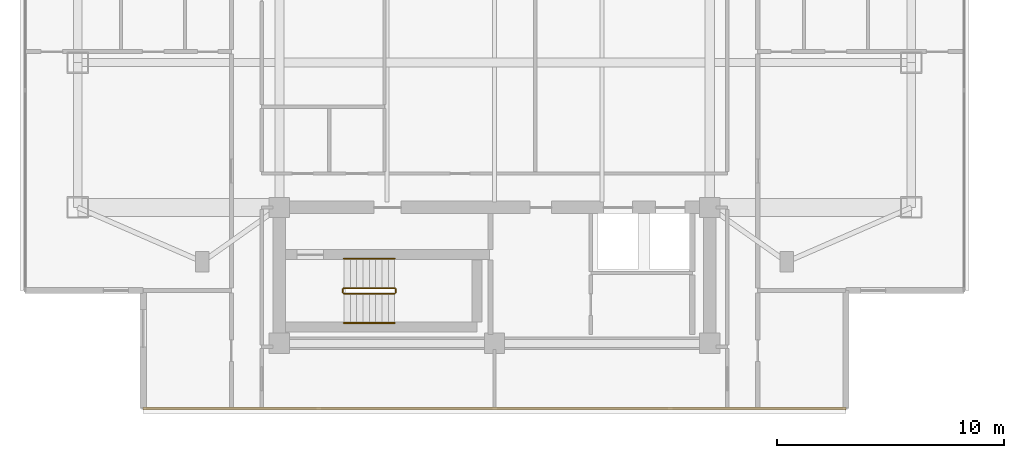
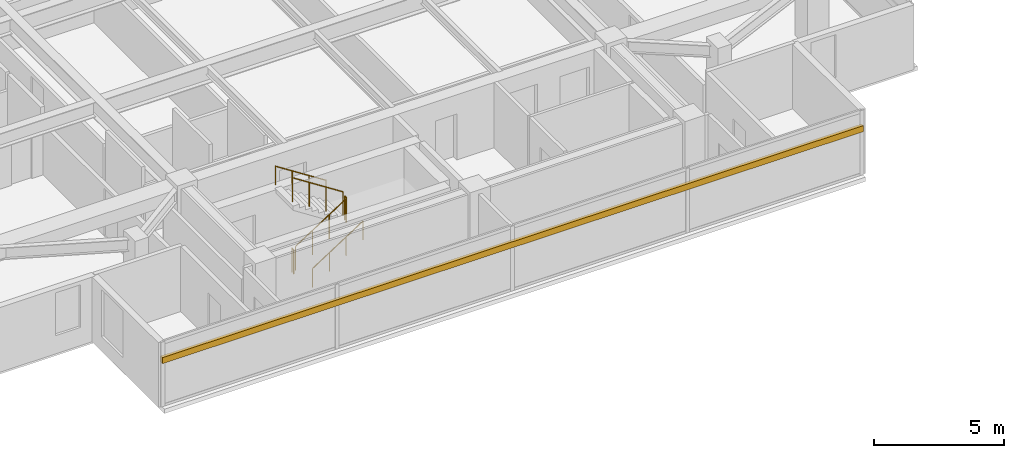
# One storey, part 19 of 24: 6 railings, 1 shading device.
"""IFC4 building model written with IfcOpenShell, lengths in metres."""

from ifc_helpers import new_model, si_unit, direction, frame, origin, origin_2d, place, context, subcontext, project, spatial, rectangle, circle, extrude, material, material_profile, profile_set, type_object, element, save


model = new_model("IFC4")

# Units and contexts
model_context = context("Model", 3, precision=1e-05, world=origin(), true_north=direction((0.0, 1.0)))
body_context = subcontext(model_context, "Body", "Model", "MODEL_VIEW")
ifc_project = project(units=[si_unit("LENGTHUNIT", "METRE"), si_unit("AREAUNIT", "SQUARE_METRE"), si_unit("VOLUMEUNIT", "CUBIC_METRE"), si_unit("PLANEANGLEUNIT", "RADIAN"), si_unit("MASSUNIT", "GRAM", prefix="KILO")], contexts=[model_context])

# Site, building, storey
site_placement = place(None, origin())
site = spatial("IfcSite", under=ifc_project, at=site_placement, CompositionType="ELEMENT")
building_placement = place(site_placement, origin())
building = spatial("IfcBuilding", under=site, at=building_placement, Name="Mirazonda Arch Towers", CompositionType="ELEMENT")
storey_placement = place(building_placement, frame((0.0, 0.0, 199.89990234375)))
storey = spatial("IfcBuildingStorey", under=building, at=storey_placement, Name="L57", CompositionType="ELEMENT", Elevation=199.89990234375)

# Shading device
ifc_material_1 = material(Name="Kiln-Fired Architectural Terracotta", Category="masonry")
ifc_material_profile = material_profile(ifc_material_1, rectangle(XDim=0.139892578125, YDim=0.280029296875, at=origin_2d()), Name="TERRA-BAG-140x280")
ifc_profile_set = profile_set([ifc_material_profile], Name="Kiln-Fired Architectural Terracotta")
shading_device_type = type_object("IfcShadingDeviceType", Name="BAGUETTE-3", PredefinedType="USERDEFINED", material=ifc_profile_set)
shading_device_placement = place(storey_placement, frame((36.014892578125, 9.52001953125, 2.181640625), z_axis=(-1.0, 0.0, 0.0), x_axis=(0.0, -1.0, 0.0)))
element("IfcShadingDevice", 1, at=shading_device_placement, inside=storey, type_object=shading_device_type, Name="L57 Glazed Terracotta Sun-Screen Baguette CW-L57-T1-S", ObjectType="BAGUETTE", PredefinedType="USERDEFINED", context=body_context, shape_type="SweptSolid", body=[
    extrude(rectangle(XDim=0.139892578125, YDim=0.280029296875, at=origin_2d()), origin(), (0.0, 0.0, 1.0), 31.02978515625),
])

# Railings
ifc_material_2 = material(Name="Architectural Brushed Steel S355", Category="steel")
railing_type_1 = type_object("IfcRailingType", Name="GUARD-STAIR-1120", PredefinedType="GUARDRAIL", material=ifc_material_2)
railing_1_placement = place(storey_placement, frame((13.85009765625, 14.60009765625, 0.1806640625)))
element("IfcRailing", 2, at=railing_1_placement, inside=storey, type_object=railing_type_1, Name="L57 ST-T1S stair guard 1", PredefinedType="GUARDRAIL", context=body_context, shape_type="SweptSolid", body=[
    extrude(circle(Radius=0.02392578125, at=origin_2d()), frame((0.0, 0.0, 1.1259765625), z_axis=(0.840436612492, 0.0, 0.541909863706), x_axis=(0.0, 1.0, 0.0)), (0.0, 0.0, 1.0), 2.665283203125),
    extrude(circle(Radius=0.02099609375, at=origin_2d()), origin(), (0.0, 0.0, 1.0), 1.101806640625),
    extrude(circle(Radius=0.02099609375, at=origin_2d()), frame((0.74658203125, 0.0, 0.4814453125)), (0.0, 0.0, 1.0), 1.101806640625),
    extrude(circle(Radius=0.02099609375, at=origin_2d()), frame((1.493408203125, 0.0, 0.962890625)), (0.0, 0.0, 1.0), 1.101806640625),
    extrude(circle(Radius=0.02099609375, at=origin_2d()), frame((2.239990234375, 0.0, 1.4443359375)), (0.0, 0.0, 1.0), 1.101806640625),
])
railing_2_placement = place(storey_placement, frame((16.139892578125, 14.64990234375, 1.625)))
element("IfcRailing", 3, at=railing_2_placement, inside=storey, type_object=railing_type_1, Name="L57 ST-T1S stair guard 2", PredefinedType="GUARDRAIL", context=body_context, shape_type="SweptSolid", body=[
    extrude(circle(Radius=0.02392578125, at=origin_2d()), frame((0.0, 0.0, 1.1259765625), z_axis=(0.0, 1.0, 0.0), x_axis=(-1.0, 0.0, 0.0)), (0.0, 0.0, 1.0), 0.14013671875),
    extrude(circle(Radius=0.02099609375, at=origin_2d()), origin(), (0.0, 0.0, 1.0), 1.101806640625),
    extrude(circle(Radius=0.02099609375, at=origin_2d()), frame((0.0, 0.14013671875, 0.0)), (0.0, 0.0, 1.0), 1.101806640625),
])
railing_3_placement = place(storey_placement, frame((16.090087890625, 14.840087890625, 1.8056640625)))
element("IfcRailing", 4, at=railing_3_placement, inside=storey, type_object=railing_type_1, Name="L57 ST-T1S stair guard 3", PredefinedType="GUARDRAIL", context=body_context, shape_type="SweptSolid", body=[
    extrude(circle(Radius=0.02392578125, at=origin_2d()), frame((0.0, 0.0, 1.1259765625), z_axis=(-0.840436612492, 0.0, 0.541909863706), x_axis=(0.0, -1.0, 0.0)), (0.0, 0.0, 1.0), 2.665283203125),
    extrude(circle(Radius=0.02099609375, at=origin_2d()), origin(), (0.0, 0.0, 1.0), 1.101806640625),
    extrude(circle(Radius=0.02099609375, at=origin_2d()), frame((-0.74658203125, 0.0, 0.4814453125)), (0.0, 0.0, 1.0), 1.101806640625),
    extrude(circle(Radius=0.02099609375, at=origin_2d()), frame((-1.493408203125, 0.0, 0.962890625)), (0.0, 0.0, 1.0), 1.101806640625),
    extrude(circle(Radius=0.02099609375, at=origin_2d()), frame((-2.239990234375, 0.0, 1.4443359375)), (0.0, 0.0, 1.0), 1.101806640625),
])
railing_4_placement = place(storey_placement, frame((13.800048828125, 14.64990234375, 0.0)))
element("IfcRailing", 5, at=railing_4_placement, inside=storey, type_object=railing_type_1, Name="L57 ST-T1S stair guard 4", PredefinedType="GUARDRAIL", context=body_context, shape_type="SweptSolid", body=[
    extrude(circle(Radius=0.02392578125, at=origin_2d()), frame((0.0, 0.0, 1.1259765625), z_axis=(0.0, 1.0, 0.0), x_axis=(-1.0, 0.0, 0.0)), (0.0, 0.0, 1.0), 0.14013671875),
    extrude(circle(Radius=0.02099609375, at=origin_2d()), origin(), (0.0, 0.0, 1.0), 1.101806640625),
    extrude(circle(Radius=0.02099609375, at=origin_2d()), frame((0.0, 0.14013671875, 0.0)), (0.0, 0.0, 1.0), 1.101806640625),
])
railing_type_2 = type_object("IfcRailingType", Name="HANDRAIL-915", PredefinedType="HANDRAIL", material=ifc_material_2)
railing_5_placement = place(storey_placement, frame((13.85009765625, 13.300048828125, 0.1806640625)))
element("IfcRailing", 6, at=railing_5_placement, inside=storey, type_object=railing_type_2, Name="L57 ST-T1S stair handrail 1", PredefinedType="HANDRAIL", context=body_context, shape_type="SweptSolid", body=[
    extrude(circle(Radius=0.02392578125, at=origin_2d()), frame((0.0, 0.0, 0.8759765625), z_axis=(0.840436612492, 0.0, 0.541909863706), x_axis=(0.0, 1.0, 0.0)), (0.0, 0.0, 1.0), 2.665283203125),
    extrude(circle(Radius=0.02099609375, at=origin_2d()), origin(), (0.0, 0.0, 1.0), 0.851806640625),
    extrude(circle(Radius=0.02099609375, at=origin_2d()), frame((0.74658203125, 0.0, 0.4814453125)), (0.0, 0.0, 1.0), 0.851806640625),
    extrude(circle(Radius=0.02099609375, at=origin_2d()), frame((1.493408203125, 0.0, 0.962890625)), (0.0, 0.0, 1.0), 0.851806640625),
    extrude(circle(Radius=0.02099609375, at=origin_2d()), frame((2.239990234375, 0.0, 1.4443359375)), (0.0, 0.0, 1.0), 0.851806640625),
])
railing_6_placement = place(storey_placement, frame((16.090087890625, 16.139892578125, 1.8056640625)))
element("IfcRailing", 7, at=railing_6_placement, inside=storey, type_object=railing_type_2, Name="L57 ST-T1S stair handrail 2", PredefinedType="HANDRAIL", context=body_context, shape_type="SweptSolid", body=[
    extrude(circle(Radius=0.02392578125, at=origin_2d()), frame((0.0, 0.0, 0.8759765625), z_axis=(-0.840436612492, 0.0, 0.541909863706), x_axis=(0.0, -1.0, 0.0)), (0.0, 0.0, 1.0), 2.665283203125),
    extrude(circle(Radius=0.02099609375, at=origin_2d()), origin(), (0.0, 0.0, 1.0), 0.851806640625),
    extrude(circle(Radius=0.02099609375, at=origin_2d()), frame((-0.74658203125, 0.0, 0.4814453125)), (0.0, 0.0, 1.0), 0.851806640625),
    extrude(circle(Radius=0.02099609375, at=origin_2d()), frame((-1.493408203125, 0.0, 0.962890625)), (0.0, 0.0, 1.0), 0.851806640625),
    extrude(circle(Radius=0.02099609375, at=origin_2d()), frame((-2.239990234375, 0.0, 1.4443359375)), (0.0, 0.0, 1.0), 0.851806640625),
])

save(model, "model.ifc")
